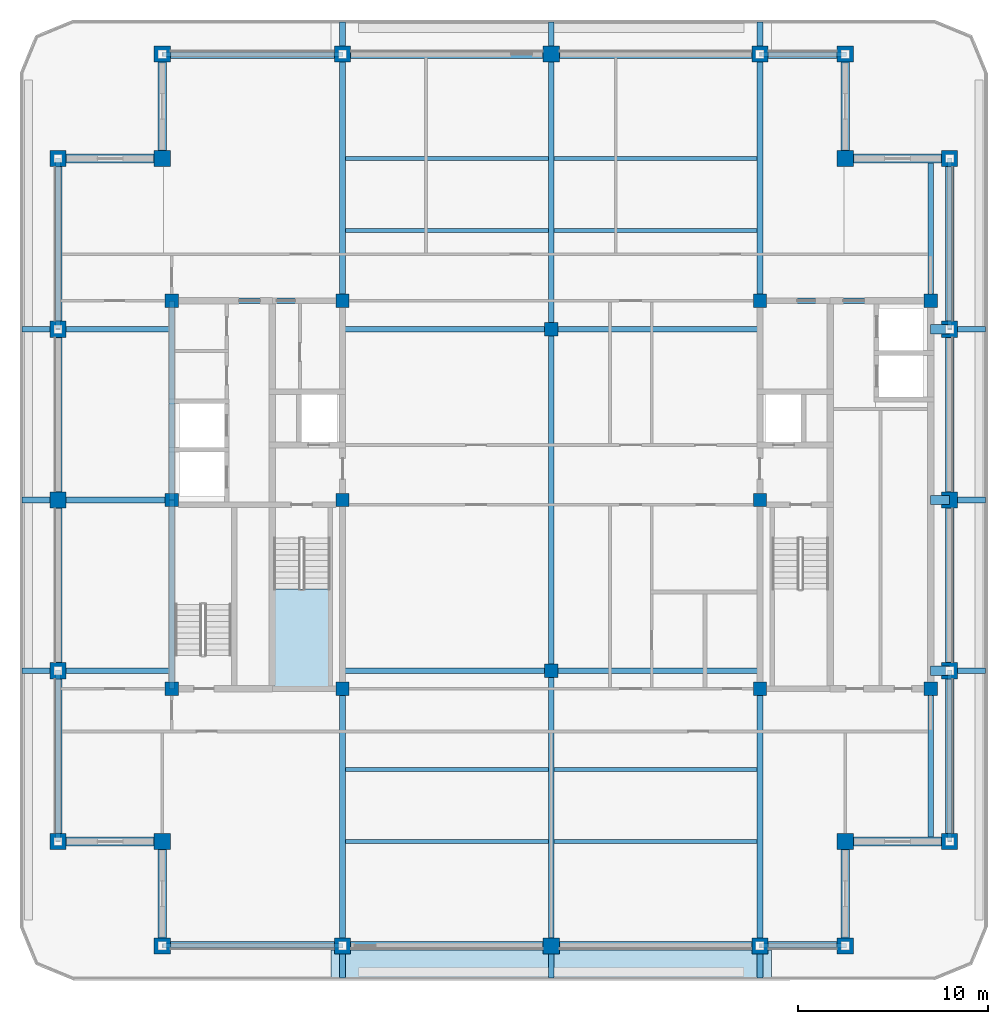
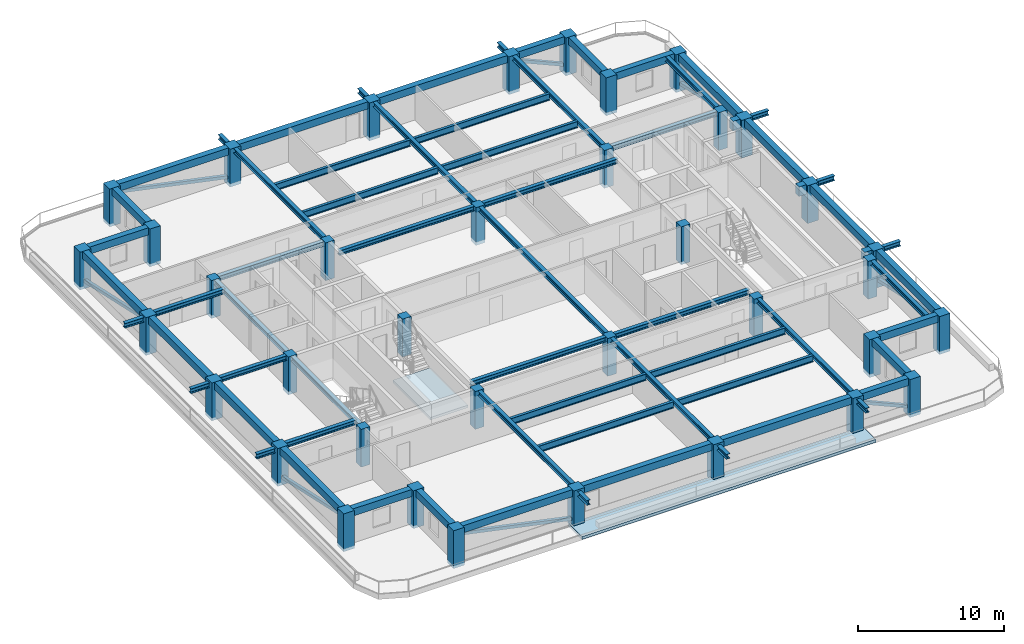
# One storey, part 1 of 10: 67 beams, 37 columns, 8 members, 2 slabs, 1 element without a shape of its own.
"""IFC4 building model written with IfcOpenShell, lengths in metres."""

from ifc_helpers import new_model, si_unit, direction, frame, origin, origin_2d, place, context, subcontext, project, spatial, polyline, rectangle, hollow_rectangle, i_section, outline, extrude, material, layer, layer_set, material_profile, profile_set, type_object, element, aggregate, save


model = new_model("IFC4")

# Units and contexts
model_context = context("Model", 3, precision=1e-05, world=origin(), true_north=direction((0.0, 1.0)))
body_context = subcontext(model_context, "Body", "Model", "MODEL_VIEW")
ifc_project = project(units=[si_unit("LENGTHUNIT", "METRE"), si_unit("AREAUNIT", "SQUARE_METRE"), si_unit("VOLUMEUNIT", "CUBIC_METRE"), si_unit("PLANEANGLEUNIT", "RADIAN"), si_unit("MASSUNIT", "GRAM", prefix="KILO")], contexts=[model_context])

# Site, building, storey
site_placement = place(None, origin())
site = spatial("IfcSite", under=ifc_project, at=site_placement, CompositionType="ELEMENT")
building_placement = place(site_placement, origin())
building = spatial("IfcBuilding", under=site, at=building_placement, Name="Zulmaris Gate Convention Tower", CompositionType="ELEMENT")
storey_placement = place(building_placement, frame((0.0, 0.0, 267.35009765625)))
storey = spatial("IfcBuildingStorey", under=building, at=storey_placement, Name="L71", CompositionType="ELEMENT", Elevation=267.35009765625)

# Columns
ifc_material_1 = material(Name="Concrete C50/60", Category="concrete")
ifc_material_profile_1 = material_profile(ifc_material_1, rectangle(XDim=0.699951171875, YDim=0.699951171875, at=origin_2d()), Name="RC COL 700x700")
ifc_profile_set_1 = profile_set([ifc_material_profile_1], Name="Concrete C50/60")
column_type_1 = type_object("IfcColumnType", Name="COL-RC700", PredefinedType="COLUMN", material=ifc_profile_set_1)
for number, where, z_axis, x_axis, name in (
    (1, (-20.0, -9.949951171875, -0.25), (0.0, 0.0, 1.0), (1.0, 0.0, 0.0), "L71 Column IN--20.00_-9.95"),
    (2, (-20.0, 10.5, -0.25), (0.0, 0.0, 1.0), (1.0, 0.0, 0.0), "L71 Column IN--20.00_+10.50"),
    (3, (-11.0, -9.949951171875, -0.25), (0.0, 0.0, 1.0), (1.0, 0.0, 0.0), "L71 Column IN--11.00_-9.95"),
    (4, (-11.0, 0.0, -0.25), (0.0, 0.0, 1.0), (1.0, 0.0, 0.0), "L71 Column IN--11.00_+0.00"),
    (5, (-11.0, 10.5, -0.25), (0.0, 0.0, 1.0), (1.0, 0.0, 0.0), "L71 Column IN--11.00_+10.50"),
    (6, (11.0, -9.949951171875, -0.25), (0.0, 0.0, 1.0), (1.0, 0.0, 0.0), "L71 Column IN-+11.00_-9.95"),
    (7, (11.0, 0.0, -0.25), (0.0, 0.0, 1.0), (1.0, 0.0, 0.0), "L71 Column IN-+11.00_+0.00"),
    (8, (11.0, 10.5, -0.25), (0.0, 0.0, 1.0), (1.0, 0.0, 0.0), "L71 Column IN-+11.00_+10.50"),
    (9, (20.0, -9.949951171875, -0.25), (0.0, 0.0, 1.0), (1.0, 0.0, 0.0), "L71 Column IN-+20.00_-9.95"),
    (10, (20.0, 10.5, -0.25), (0.0, 0.0, 1.0), (1.0, 0.0, 0.0), "L71 Column IN-+20.00_+10.50"),
    (11, (0.0, -9.0, -0.25), (0.0, 0.0, 1.0), (1.0, 0.0, 0.0), "L71 Column IN-+0.00_-9.00"),
    (12, (0.0, 9.0, -0.25), (0.0, 0.0, 1.0), (1.0, 0.0, 0.0), "L71 Column IN-+0.00_+9.00"),
    (13, (-20.0, 0.0, -0.25), (0.0, 0.0, 1.0), (1.0, 0.0, 0.0), "L71 Column IN--20.00_+0.00"),
):
    element("IfcColumn", number, at=place(storey_placement, frame(where, z_axis=z_axis, x_axis=x_axis)), inside=storey, type_object=column_type_1, Name=name, PredefinedType="COLUMN", context=body_context, shape_type="SweptSolid", body=[
        extrude(rectangle(XDim=0.699951171875, YDim=0.699951171875, at=origin_2d()), origin(), (0.0, 0.0, 1.0), 3.155029296875),
    ])
ifc_material_2 = material(Name="Concrete C60/75", Category="concrete")
ifc_material_profile_2 = material_profile(ifc_material_2, rectangle(XDim=0.85009765625, YDim=0.85009765625, at=origin_2d()), Name="RC COL 850x850")
ifc_profile_set_2 = profile_set([ifc_material_profile_2], Name="Concrete C60/75")
column_type_2 = type_object("IfcColumnType", Name="COL-RC850", PredefinedType="COLUMN", material=ifc_profile_set_2)
for number, where, z_axis, x_axis, name in (
    (14, (-20.5, -23.5, -0.25), (0.0, 0.0, 1.0), (1.0, 0.0, 0.0), "L71 Column PT--20.50_-23.50"),
    (15, (-11.0, -23.5, -0.25), (0.0, 0.0, 1.0), (1.0, 0.0, 0.0), "L71 Column PT--11.00_-23.50"),
    (16, (0.0, -23.5, -0.25), (0.0, 0.0, 1.0), (1.0, 0.0, 0.0), "L71 Column PT-+0.00_-23.50"),
    (17, (11.0, -23.5, -0.25), (0.0, 0.0, 1.0), (1.0, 0.0, 0.0), "L71 Column PT-+11.00_-23.50"),
    (18, (15.5, -23.5, -0.25), (0.0, 0.0, 1.0), (1.0, 0.0, 0.0), "L71 Column PT-+15.50_-23.50"),
    (19, (-20.5, 23.5, -0.25), (0.0, 0.0, 1.0), (1.0, 0.0, 0.0), "L71 Column PT--20.50_+23.50"),
    (20, (-11.0, 23.5, -0.25), (0.0, 0.0, 1.0), (1.0, 0.0, 0.0), "L71 Column PT--11.00_+23.50"),
    (21, (0.0, 23.5, -0.25), (0.0, 0.0, 1.0), (1.0, 0.0, 0.0), "L71 Column PT-+0.00_+23.50"),
    (22, (11.0, 23.5, -0.25), (0.0, 0.0, 1.0), (1.0, 0.0, 0.0), "L71 Column PT-+11.00_+23.50"),
    (23, (15.5, 23.5, -0.25), (0.0, 0.0, 1.0), (1.0, 0.0, 0.0), "L71 Column PT-+15.50_+23.50"),
    (24, (-26.0, -18.0, -0.25), (0.0, 0.0, 1.0), (1.0, 0.0, 0.0), "L71 Column PT--26.00_-18.00"),
    (25, (-26.0, -9.0, -0.25), (0.0, 0.0, 1.0), (1.0, 0.0, 0.0), "L71 Column PT--26.00_-9.00"),
    (26, (-26.0, 0.0, -0.25), (0.0, 0.0, 1.0), (1.0, 0.0, 0.0), "L71 Column PT--26.00_+0.00"),
    (27, (-26.0, 9.0, -0.25), (0.0, 0.0, 1.0), (1.0, 0.0, 0.0), "L71 Column PT--26.00_+9.00"),
    (28, (-26.0, 18.0, -0.25), (0.0, 0.0, 1.0), (1.0, 0.0, 0.0), "L71 Column PT--26.00_+18.00"),
    (29, (21.0, -18.0, -0.25), (0.0, 0.0, 1.0), (1.0, 0.0, 0.0), "L71 Column PT-+21.00_-18.00"),
    (30, (21.0, -9.0, -0.25), (0.0, 0.0, 1.0), (1.0, 0.0, 0.0), "L71 Column PT-+21.00_-9.00"),
    (31, (21.0, 0.0, -0.25), (0.0, 0.0, 1.0), (1.0, 0.0, 0.0), "L71 Column PT-+21.00_+0.00"),
    (32, (21.0, 9.0, -0.25), (0.0, 0.0, 1.0), (1.0, 0.0, 0.0), "L71 Column PT-+21.00_+9.00"),
    (33, (21.0, 18.0, -0.25), (0.0, 0.0, 1.0), (1.0, 0.0, 0.0), "L71 Column PT-+21.00_+18.00"),
    (34, (-20.5, -18.0, -0.25), (0.0, 0.0, 1.0), (1.0, 0.0, 0.0), "L71 Column PT--20.50_-18.00"),
    (35, (15.5, -18.0, -0.25), (0.0, 0.0, 1.0), (1.0, 0.0, 0.0), "L71 Column PT-+15.50_-18.00"),
    (36, (15.5, 18.0, -0.25), (0.0, 0.0, 1.0), (1.0, 0.0, 0.0), "L71 Column PT-+15.50_+18.00"),
    (37, (-20.5, 18.0, -0.25), (0.0, 0.0, 1.0), (1.0, 0.0, 0.0), "L71 Column PT--20.50_+18.00"),
):
    element("IfcColumn", number, at=place(storey_placement, frame(where, z_axis=z_axis, x_axis=x_axis)), inside=storey, type_object=column_type_2, Name=name, PredefinedType="COLUMN", context=body_context, shape_type="SweptSolid", body=[
        extrude(rectangle(XDim=0.85009765625, YDim=0.85009765625, at=origin_2d()), origin(), (0.0, 0.0, 1.0), 3.155029296875),
    ])

# Beams
ifc_material_3 = material(Name="Steel S355", Category="steel")
ifc_material_profile_3 = material_profile(ifc_material_3, i_section(OverallWidth=0.300048828125, OverallDepth=0.39990234375, WebThickness=0.013427734375, FlangeThickness=0.02392578125, FilletRadius=0.027099609375, at=origin_2d()), Name="HEB 400")
ifc_profile_set_3 = profile_set([ifc_material_profile_3], Name="Steel S355")
beam_type_1 = type_object("IfcBeamType", Name="BM-HEB400", PredefinedType="BEAM", material=ifc_profile_set_3)
for number, where, z_axis, x_axis, name in (
    (38, (-11.0, -25.199951171875, 2.56494140625), (0.0, 1.0, 0.0), (-1.0, 0.0, 0.0), "L71 Beam TBRK-L71-S--11"),
    (39, (-11.0, 23.5, 2.56494140625), (0.0, 1.0, 0.0), (-1.0, 0.0, 0.0), "L71 Beam TBRK-L71-N--11"),
    (40, (0.0, -25.199951171875, 2.56494140625), (0.0, 1.0, 0.0), (-1.0, 0.0, 0.0), "L71 Beam TBRK-L71-S-+0"),
    (41, (0.0, 23.5, 2.56494140625), (0.0, 1.0, 0.0), (-1.0, 0.0, 0.0), "L71 Beam TBRK-L71-N-+0"),
    (42, (11.0, -25.199951171875, 2.56494140625), (0.0, 1.0, 0.0), (-1.0, 0.0, 0.0), "L71 Beam TBRK-L71-S-+11"),
    (43, (11.0, 23.5, 2.56494140625), (0.0, 1.0, 0.0), (-1.0, 0.0, 0.0), "L71 Beam TBRK-L71-N-+11"),
):
    element("IfcBeam", number, at=place(storey_placement, frame(where, z_axis=z_axis, x_axis=x_axis)), inside=storey, type_object=beam_type_1, Name=name, PredefinedType="BEAM", context=body_context, shape_type="SweptSolid", body=[
        extrude(i_section(OverallWidth=0.300048828125, OverallDepth=0.39990234375, WebThickness=0.013427734375, FlangeThickness=0.02392578125, FilletRadius=0.027099609375, at=origin_2d()), origin(), (0.0, 0.0, 1.0), 1.699951171875),
    ])
for number, where, z_axis, x_axis, name in (
    (44, (-27.89990234375, -9.0, 2.56494140625), (1.0, 0.0, 0.0), (0.0, 1.0, 0.0), "L71 Beam TBRK-L71-W--9"),
    (45, (21.0, -9.0, 2.56494140625), (1.0, 0.0, 0.0), (0.0, 1.0, 0.0), "L71 Beam TBRK-L71-E--9"),
    (46, (-27.89990234375, 0.0, 2.56494140625), (1.0, 0.0, 0.0), (0.0, 1.0, 0.0), "L71 Beam TBRK-L71-W-+0"),
    (47, (21.0, 0.0, 2.56494140625), (1.0, 0.0, 0.0), (0.0, 1.0, 0.0), "L71 Beam TBRK-L71-E-+0"),
    (48, (-27.89990234375, 9.0, 2.56494140625), (1.0, 0.0, 0.0), (0.0, 1.0, 0.0), "L71 Beam TBRK-L71-W-+9"),
    (49, (21.0, 9.0, 2.56494140625), (1.0, 0.0, 0.0), (0.0, 1.0, 0.0), "L71 Beam TBRK-L71-E-+9"),
):
    element("IfcBeam", number, at=place(storey_placement, frame(where, z_axis=z_axis, x_axis=x_axis)), inside=storey, type_object=beam_type_1, Name=name, PredefinedType="BEAM", context=body_context, shape_type="SweptSolid", body=[
        extrude(i_section(OverallWidth=0.300048828125, OverallDepth=0.39990234375, WebThickness=0.013427734375, FlangeThickness=0.02392578125, FilletRadius=0.027099609375, at=origin_2d()), origin(), (0.0, 0.0, 1.0), 1.89990234375),
    ])
for number, where, z_axis, x_axis, name in (
    (50, (-11.0, -9.0, 2.702880859375), (1.0, 0.0, 0.0), (0.0, 1.0, 0.0), "L71 Beam BM-L71-G01"),
    (51, (0.0, -9.0, 2.702880859375), (1.0, 0.0, 0.0), (0.0, 1.0, 0.0), "L71 Beam BM-L71-G02"),
    (52, (-11.0, 9.0, 2.702880859375), (1.0, 0.0, 0.0), (0.0, 1.0, 0.0), "L71 Beam BM-L71-G03"),
    (53, (0.0, 9.0, 2.702880859375), (1.0, 0.0, 0.0), (0.0, 1.0, 0.0), "L71 Beam BM-L71-G04"),
):
    element("IfcBeam", number, at=place(storey_placement, frame(where, z_axis=z_axis, x_axis=x_axis)), inside=storey, type_object=beam_type_1, Name=name, PredefinedType="BEAM", context=body_context, shape_type="SweptSolid", body=[
        extrude(i_section(OverallWidth=0.300048828125, OverallDepth=0.39990234375, WebThickness=0.013427734375, FlangeThickness=0.02392578125, FilletRadius=0.027099609375, at=origin_2d()), origin(), (0.0, 0.0, 1.0), 11.0),
    ])
beam_1_placement = place(storey_placement, frame((0.0, -23.5, 2.702880859375), z_axis=(0.0, 1.0, 0.0), x_axis=(-1.0, 0.0, 0.0)))
element("IfcBeam", 54, at=beam_1_placement, inside=storey, type_object=beam_type_1, Name="L71 Beam BM-L71-G05", PredefinedType="BEAM", context=body_context, shape_type="SweptSolid", body=[
    extrude(i_section(OverallWidth=0.300048828125, OverallDepth=0.39990234375, WebThickness=0.013427734375, FlangeThickness=0.02392578125, FilletRadius=0.027099609375, at=origin_2d()), origin(), (0.0, 0.0, 1.0), 14.5),
])
beam_2_placement = place(storey_placement, frame((0.0, -9.0, 2.702880859375), z_axis=(0.0, 1.0, 0.0), x_axis=(-1.0, 0.0, 0.0)))
element("IfcBeam", 55, at=beam_2_placement, inside=storey, type_object=beam_type_1, Name="L71 Beam BM-L71-G06", PredefinedType="BEAM", context=body_context, shape_type="SweptSolid", body=[
    extrude(i_section(OverallWidth=0.300048828125, OverallDepth=0.39990234375, WebThickness=0.013427734375, FlangeThickness=0.02392578125, FilletRadius=0.027099609375, at=origin_2d()), origin(), (0.0, 0.0, 1.0), 18.0),
])
beam_3_placement = place(storey_placement, frame((0.0, 9.0, 2.702880859375), z_axis=(0.0, 1.0, 0.0), x_axis=(-1.0, 0.0, 0.0)))
element("IfcBeam", 56, at=beam_3_placement, inside=storey, type_object=beam_type_1, Name="L71 Beam BM-L71-G07", PredefinedType="BEAM", context=body_context, shape_type="SweptSolid", body=[
    extrude(i_section(OverallWidth=0.300048828125, OverallDepth=0.39990234375, WebThickness=0.013427734375, FlangeThickness=0.02392578125, FilletRadius=0.027099609375, at=origin_2d()), origin(), (0.0, 0.0, 1.0), 14.5),
])
beam_4_placement = place(storey_placement, frame((-11.0, -23.5, 2.702880859375), z_axis=(0.0, 1.0, 0.0), x_axis=(-1.0, 0.0, 0.0)))
element("IfcBeam", 57, at=beam_4_placement, inside=storey, type_object=beam_type_1, Name="L71 Beam BM-L71-G08", PredefinedType="BEAM", context=body_context, shape_type="SweptSolid", body=[
    extrude(i_section(OverallWidth=0.300048828125, OverallDepth=0.39990234375, WebThickness=0.013427734375, FlangeThickness=0.02392578125, FilletRadius=0.027099609375, at=origin_2d()), origin(), (0.0, 0.0, 1.0), 13.550048828125),
])
beam_5_placement = place(storey_placement, frame((-11.0, 10.5, 2.702880859375), z_axis=(0.0, 1.0, 0.0), x_axis=(-1.0, 0.0, 0.0)))
element("IfcBeam", 58, at=beam_5_placement, inside=storey, type_object=beam_type_1, Name="L71 Beam BM-L71-G09", PredefinedType="BEAM", context=body_context, shape_type="SweptSolid", body=[
    extrude(i_section(OverallWidth=0.300048828125, OverallDepth=0.39990234375, WebThickness=0.013427734375, FlangeThickness=0.02392578125, FilletRadius=0.027099609375, at=origin_2d()), origin(), (0.0, 0.0, 1.0), 13.0),
])
beam_6_placement = place(storey_placement, frame((11.0, -23.5, 2.702880859375), z_axis=(0.0, 1.0, 0.0), x_axis=(-1.0, 0.0, 0.0)))
element("IfcBeam", 59, at=beam_6_placement, inside=storey, type_object=beam_type_1, Name="L71 Beam BM-L71-G10", PredefinedType="BEAM", context=body_context, shape_type="SweptSolid", body=[
    extrude(i_section(OverallWidth=0.300048828125, OverallDepth=0.39990234375, WebThickness=0.013427734375, FlangeThickness=0.02392578125, FilletRadius=0.027099609375, at=origin_2d()), origin(), (0.0, 0.0, 1.0), 13.550048828125),
])
beam_7_placement = place(storey_placement, frame((11.0, 10.5, 2.702880859375), z_axis=(0.0, 1.0, 0.0), x_axis=(-1.0, 0.0, 0.0)))
element("IfcBeam", 60, at=beam_7_placement, inside=storey, type_object=beam_type_1, Name="L71 Beam BM-L71-G11", PredefinedType="BEAM", context=body_context, shape_type="SweptSolid", body=[
    extrude(i_section(OverallWidth=0.300048828125, OverallDepth=0.39990234375, WebThickness=0.013427734375, FlangeThickness=0.02392578125, FilletRadius=0.027099609375, at=origin_2d()), origin(), (0.0, 0.0, 1.0), 13.0),
])
beam_8_placement = place(storey_placement, frame((20.0, -18.0, 2.702880859375), z_axis=(0.0, 1.0, 0.0), x_axis=(-1.0, 0.0, 0.0)))
element("IfcBeam", 61, at=beam_8_placement, inside=storey, type_object=beam_type_1, Name="L71 Beam BM-L71-G14", PredefinedType="BEAM", context=body_context, shape_type="SweptSolid", body=[
    extrude(i_section(OverallWidth=0.300048828125, OverallDepth=0.39990234375, WebThickness=0.013427734375, FlangeThickness=0.02392578125, FilletRadius=0.027099609375, at=origin_2d()), origin(), (0.0, 0.0, 1.0), 8.050048828125),
])
beam_9_placement = place(storey_placement, frame((20.0, 10.5, 2.702880859375), z_axis=(0.0, 1.0, 0.0), x_axis=(-1.0, 0.0, 0.0)))
element("IfcBeam", 62, at=beam_9_placement, inside=storey, type_object=beam_type_1, Name="L71 Beam BM-L71-G15", PredefinedType="BEAM", context=body_context, shape_type="SweptSolid", body=[
    extrude(i_section(OverallWidth=0.300048828125, OverallDepth=0.39990234375, WebThickness=0.013427734375, FlangeThickness=0.02392578125, FilletRadius=0.027099609375, at=origin_2d()), origin(), (0.0, 0.0, 1.0), 7.5),
])
for number, where, z_axis, x_axis, name in (
    (63, (-26.0, -9.0, 2.702880859375), (1.0, 0.0, 0.0), (0.0, 1.0, 0.0), "L71 Beam BM-L71-G16"),
    (64, (-26.0, 0.0, 2.702880859375), (1.0, 0.0, 0.0), (0.0, 1.0, 0.0), "L71 Beam BM-L71-G17"),
    (65, (-26.0, 9.0, 2.702880859375), (1.0, 0.0, 0.0), (0.0, 1.0, 0.0), "L71 Beam BM-L71-G18"),
):
    element("IfcBeam", number, at=place(storey_placement, frame(where, z_axis=z_axis, x_axis=x_axis)), inside=storey, type_object=beam_type_1, Name=name, PredefinedType="BEAM", context=body_context, shape_type="SweptSolid", body=[
        extrude(i_section(OverallWidth=0.300048828125, OverallDepth=0.39990234375, WebThickness=0.013427734375, FlangeThickness=0.02392578125, FilletRadius=0.027099609375, at=origin_2d()), origin(), (0.0, 0.0, 1.0), 6.0),
    ])
for number, where, z_axis, x_axis, name in (
    (66, (-20.0, 10.5, 2.702880859375), (1.0, 0.0, 0.0), (0.0, 1.0, 0.0), "L71 Beam BM-L71-G23"),
    (67, (11.0, 10.5, 2.702880859375), (1.0, 0.0, 0.0), (0.0, 1.0, 0.0), "L71 Beam BM-L71-G25"),
):
    element("IfcBeam", number, at=place(storey_placement, frame(where, z_axis=z_axis, x_axis=x_axis)), inside=storey, type_object=beam_type_1, Name=name, PredefinedType="BEAM", context=body_context, shape_type="SweptSolid", body=[
        extrude(i_section(OverallWidth=0.300048828125, OverallDepth=0.39990234375, WebThickness=0.013427734375, FlangeThickness=0.02392578125, FilletRadius=0.027099609375, at=origin_2d()), origin(), (0.0, 0.0, 1.0), 9.0),
    ])
beam_10_placement = place(storey_placement, frame((-20.0, -9.949951171875, 2.702880859375), z_axis=(0.0, 1.0, 0.0), x_axis=(-1.0, 0.0, 0.0)))
element("IfcBeam", 68, at=beam_10_placement, inside=storey, type_object=beam_type_1, Name="L71 Beam BM-L71-G26", PredefinedType="BEAM", context=body_context, shape_type="SweptSolid", body=[
    extrude(i_section(OverallWidth=0.300048828125, OverallDepth=0.39990234375, WebThickness=0.013427734375, FlangeThickness=0.02392578125, FilletRadius=0.027099609375, at=origin_2d()), origin(), (0.0, 0.0, 1.0), 9.949951171875),
])
beam_11_placement = place(storey_placement, frame((-20.0, 0.0, 2.702880859375), z_axis=(0.0, 1.0, 0.0), x_axis=(-1.0, 0.0, 0.0)))
element("IfcBeam", 69, at=beam_11_placement, inside=storey, type_object=beam_type_1, Name="L71 Beam BM-L71-G27", PredefinedType="BEAM", context=body_context, shape_type="SweptSolid", body=[
    extrude(i_section(OverallWidth=0.300048828125, OverallDepth=0.39990234375, WebThickness=0.013427734375, FlangeThickness=0.02392578125, FilletRadius=0.027099609375, at=origin_2d()), origin(), (0.0, 0.0, 1.0), 10.5),
])
ifc_material_profile_4 = material_profile(ifc_material_1, rectangle(XDim=0.5, YDim=0.800048828125, at=origin_2d()), Name="RC BEAM 500x800")
ifc_profile_set_4 = profile_set([ifc_material_profile_4], Name="Concrete C50/60")
beam_type_2 = type_object("IfcBeamType", Name="BM-RC500x800", PredefinedType="BEAM", material=ifc_profile_set_4)
for number, where, z_axis, x_axis, name in (
    (70, (20.0, -9.0, 2.5048828125), (1.0, 0.0, 0.0), (0.0, 1.0, 0.0), "L71 Beam BM-L71-G19"),
    (71, (20.0, 0.0, 2.5048828125), (1.0, 0.0, 0.0), (0.0, 1.0, 0.0), "L71 Beam BM-L71-G20"),
    (72, (20.0, 9.0, 2.5048828125), (1.0, 0.0, 0.0), (0.0, 1.0, 0.0), "L71 Beam BM-L71-G21"),
):
    element("IfcBeam", number, at=place(storey_placement, frame(where, z_axis=z_axis, x_axis=x_axis)), inside=storey, type_object=beam_type_2, Name=name, PredefinedType="BEAM", context=body_context, shape_type="SweptSolid", body=[
        extrude(rectangle(XDim=0.5, YDim=0.800048828125, at=origin_2d()), origin(), (0.0, 0.0, 1.0), 1.0),
    ])
ifc_material_4 = material(Name="Precast concrete C50/60", Category="concrete")
ifc_material_profile_5 = material_profile(ifc_material_4, rectangle(XDim=0.449951171875, YDim=0.60009765625, at=origin_2d()), Name="RC SPANDREL 450x600")
ifc_profile_set_5 = profile_set([ifc_material_profile_5], Name="Precast concrete C50/60")
beam_type_3 = type_object("IfcBeamType", Name="BM-SP450x600", PredefinedType="SPANDREL", material=ifc_profile_set_5)
beam_12_placement = place(storey_placement, frame((-20.5, -23.5, 2.60498046875), z_axis=(1.0, 0.0, 0.0), x_axis=(0.0, 1.0, 0.0)))
element("IfcBeam", 73, at=beam_12_placement, inside=storey, type_object=beam_type_3, Name="L71 Spandrel SP-L71-01", PredefinedType="SPANDREL", context=body_context, shape_type="SweptSolid", body=[
    extrude(rectangle(XDim=0.449951171875, YDim=0.60009765625, at=origin_2d()), origin(), (0.0, 0.0, 1.0), 9.5),
])
for number, where, z_axis, x_axis, name in (
    (74, (-11.0, -23.5, 2.60498046875), (1.0, 0.0, 0.0), (0.0, 1.0, 0.0), "L71 Spandrel SP-L71-02"),
    (75, (0.0, -23.5, 2.60498046875), (1.0, 0.0, 0.0), (0.0, 1.0, 0.0), "L71 Spandrel SP-L71-03"),
):
    element("IfcBeam", number, at=place(storey_placement, frame(where, z_axis=z_axis, x_axis=x_axis)), inside=storey, type_object=beam_type_3, Name=name, PredefinedType="SPANDREL", context=body_context, shape_type="SweptSolid", body=[
        extrude(rectangle(XDim=0.449951171875, YDim=0.60009765625, at=origin_2d()), origin(), (0.0, 0.0, 1.0), 11.0),
    ])
beam_13_placement = place(storey_placement, frame((11.0, -23.5, 2.60498046875), z_axis=(1.0, 0.0, 0.0), x_axis=(0.0, 1.0, 0.0)))
element("IfcBeam", 76, at=beam_13_placement, inside=storey, type_object=beam_type_3, Name="L71 Spandrel SP-L71-04", PredefinedType="SPANDREL", context=body_context, shape_type="SweptSolid", body=[
    extrude(rectangle(XDim=0.449951171875, YDim=0.60009765625, at=origin_2d()), origin(), (0.0, 0.0, 1.0), 4.5),
])
for number, where, z_axis, x_axis, name in (
    (77, (15.5, -23.5, 2.60498046875), (0.0, 1.0, 0.0), (-1.0, 0.0, 0.0), "L71 Spandrel SP-L71-05"),
    (78, (15.5, -18.0, 2.60498046875), (1.0, 0.0, 0.0), (0.0, 1.0, 0.0), "L71 Spandrel SP-L71-06"),
):
    element("IfcBeam", number, at=place(storey_placement, frame(where, z_axis=z_axis, x_axis=x_axis)), inside=storey, type_object=beam_type_3, Name=name, PredefinedType="SPANDREL", context=body_context, shape_type="SweptSolid", body=[
        extrude(rectangle(XDim=0.449951171875, YDim=0.60009765625, at=origin_2d()), origin(), (0.0, 0.0, 1.0), 5.5),
    ])
for number, where, z_axis, x_axis, name in (
    (79, (21.0, -18.0, 2.60498046875), (0.0, 1.0, 0.0), (-1.0, 0.0, 0.0), "L71 Spandrel SP-L71-07"),
    (80, (21.0, -9.0, 2.60498046875), (0.0, 1.0, 0.0), (-1.0, 0.0, 0.0), "L71 Spandrel SP-L71-08"),
    (81, (21.0, 0.0, 2.60498046875), (0.0, 1.0, 0.0), (-1.0, 0.0, 0.0), "L71 Spandrel SP-L71-09"),
    (82, (21.0, 9.0, 2.60498046875), (0.0, 1.0, 0.0), (-1.0, 0.0, 0.0), "L71 Spandrel SP-L71-10"),
):
    element("IfcBeam", number, at=place(storey_placement, frame(where, z_axis=z_axis, x_axis=x_axis)), inside=storey, type_object=beam_type_3, Name=name, PredefinedType="SPANDREL", context=body_context, shape_type="SweptSolid", body=[
        extrude(rectangle(XDim=0.449951171875, YDim=0.60009765625, at=origin_2d()), origin(), (0.0, 0.0, 1.0), 9.0),
    ])
for number, where, z_axis, x_axis, name in (
    (83, (21.0, 18.0, 2.60498046875), (-1.0, 0.0, 0.0), (0.0, -1.0, 0.0), "L71 Spandrel SP-L71-11"),
    (84, (15.5, 18.0, 2.60498046875), (0.0, 1.0, 0.0), (-1.0, 0.0, 0.0), "L71 Spandrel SP-L71-12"),
):
    element("IfcBeam", number, at=place(storey_placement, frame(where, z_axis=z_axis, x_axis=x_axis)), inside=storey, type_object=beam_type_3, Name=name, PredefinedType="SPANDREL", context=body_context, shape_type="SweptSolid", body=[
        extrude(rectangle(XDim=0.449951171875, YDim=0.60009765625, at=origin_2d()), origin(), (0.0, 0.0, 1.0), 5.5),
    ])
beam_14_placement = place(storey_placement, frame((15.5, 23.5, 2.60498046875), z_axis=(-1.0, 0.0, 0.0), x_axis=(0.0, -1.0, 0.0)))
element("IfcBeam", 85, at=beam_14_placement, inside=storey, type_object=beam_type_3, Name="L71 Spandrel SP-L71-13", PredefinedType="SPANDREL", context=body_context, shape_type="SweptSolid", body=[
    extrude(rectangle(XDim=0.449951171875, YDim=0.60009765625, at=origin_2d()), origin(), (0.0, 0.0, 1.0), 4.5),
])
for number, where, z_axis, x_axis, name in (
    (86, (11.0, 23.5, 2.60498046875), (-1.0, 0.0, 0.0), (0.0, -1.0, 0.0), "L71 Spandrel SP-L71-14"),
    (87, (0.0, 23.5, 2.60498046875), (-1.0, 0.0, 0.0), (0.0, -1.0, 0.0), "L71 Spandrel SP-L71-15"),
):
    element("IfcBeam", number, at=place(storey_placement, frame(where, z_axis=z_axis, x_axis=x_axis)), inside=storey, type_object=beam_type_3, Name=name, PredefinedType="SPANDREL", context=body_context, shape_type="SweptSolid", body=[
        extrude(rectangle(XDim=0.449951171875, YDim=0.60009765625, at=origin_2d()), origin(), (0.0, 0.0, 1.0), 11.0),
    ])
beam_15_placement = place(storey_placement, frame((-11.0, 23.5, 2.60498046875), z_axis=(-1.0, 0.0, 0.0), x_axis=(0.0, -1.0, 0.0)))
element("IfcBeam", 88, at=beam_15_placement, inside=storey, type_object=beam_type_3, Name="L71 Spandrel SP-L71-16", PredefinedType="SPANDREL", context=body_context, shape_type="SweptSolid", body=[
    extrude(rectangle(XDim=0.449951171875, YDim=0.60009765625, at=origin_2d()), origin(), (0.0, 0.0, 1.0), 9.5),
])
for number, where, z_axis, x_axis, name in (
    (89, (-20.5, 23.5, 2.60498046875), (0.0, -1.0, 0.0), (1.0, 0.0, 0.0), "L71 Spandrel SP-L71-17"),
    (90, (-20.5, 18.0, 2.60498046875), (-1.0, 0.0, 0.0), (0.0, -1.0, 0.0), "L71 Spandrel SP-L71-18"),
):
    element("IfcBeam", number, at=place(storey_placement, frame(where, z_axis=z_axis, x_axis=x_axis)), inside=storey, type_object=beam_type_3, Name=name, PredefinedType="SPANDREL", context=body_context, shape_type="SweptSolid", body=[
        extrude(rectangle(XDim=0.449951171875, YDim=0.60009765625, at=origin_2d()), origin(), (0.0, 0.0, 1.0), 5.5),
    ])
for number, where, z_axis, x_axis, name in (
    (91, (-26.0, 18.0, 2.60498046875), (0.0, -1.0, 0.0), (1.0, 0.0, 0.0), "L71 Spandrel SP-L71-19"),
    (92, (-26.0, 9.0, 2.60498046875), (0.0, -1.0, 0.0), (1.0, 0.0, 0.0), "L71 Spandrel SP-L71-20"),
    (93, (-26.0, 0.0, 2.60498046875), (0.0, -1.0, 0.0), (1.0, 0.0, 0.0), "L71 Spandrel SP-L71-21"),
    (94, (-26.0, -9.0, 2.60498046875), (0.0, -1.0, 0.0), (1.0, 0.0, 0.0), "L71 Spandrel SP-L71-22"),
):
    element("IfcBeam", number, at=place(storey_placement, frame(where, z_axis=z_axis, x_axis=x_axis)), inside=storey, type_object=beam_type_3, Name=name, PredefinedType="SPANDREL", context=body_context, shape_type="SweptSolid", body=[
        extrude(rectangle(XDim=0.449951171875, YDim=0.60009765625, at=origin_2d()), origin(), (0.0, 0.0, 1.0), 9.0),
    ])
for number, where, z_axis, x_axis, name in (
    (95, (-26.0, -18.0, 2.60498046875), (1.0, 0.0, 0.0), (0.0, 1.0, 0.0), "L71 Spandrel SP-L71-23"),
    (96, (-20.5, -18.0, 2.60498046875), (0.0, -1.0, 0.0), (1.0, 0.0, 0.0), "L71 Spandrel SP-L71-24"),
):
    element("IfcBeam", number, at=place(storey_placement, frame(where, z_axis=z_axis, x_axis=x_axis)), inside=storey, type_object=beam_type_3, Name=name, PredefinedType="SPANDREL", context=body_context, shape_type="SweptSolid", body=[
        extrude(rectangle(XDim=0.449951171875, YDim=0.60009765625, at=origin_2d()), origin(), (0.0, 0.0, 1.0), 5.5),
    ])

# Members
ifc_material_profile_6 = material_profile(ifc_material_3, hollow_rectangle(XDim=0.25, YDim=0.25, WallThickness=0.012451171875, at=origin_2d()), Name="SHS 250x250x12.5")
ifc_profile_set_6 = profile_set([ifc_material_profile_6], Name="Steel S355")
member_type = type_object("IfcMemberType", Name="BR-SHS250", PredefinedType="BRACE", material=ifc_profile_set_6)
for number, where, z_axis, x_axis, name in (
    (97, (-26.0, -9.0, 0.300048828125), (0.0, -0.976533605877, 0.215365077468), (1.0, 0.0, 0.0), "L71 Perimeter Tube Diagonal SW-W"),
    (98, (-26.0, 18.0, 0.300048828125), (0.0, -0.976533605877, 0.215365077468), (1.0, 0.0, 0.0), "L71 Perimeter Tube Diagonal NW-W"),
    (99, (21.0, -9.0, 0.300048828125), (0.0, -0.976533605877, 0.215365077468), (1.0, 0.0, 0.0), "L71 Perimeter Tube Diagonal SE-E"),
    (100, (21.0, 18.0, 0.300048828125), (0.0, -0.976533605877, 0.215365077468), (1.0, 0.0, 0.0), "L71 Perimeter Tube Diagonal NE-E"),
):
    element("IfcMember", number, at=place(storey_placement, frame(where, z_axis=z_axis, x_axis=x_axis)), inside=storey, type_object=member_type, Name=name, PredefinedType="BRACE", context=body_context, shape_type="SweptSolid", body=[
        extrude(hollow_rectangle(XDim=0.25, YDim=0.25, WallThickness=0.012451171875, at=origin_2d()), origin(), (0.0, 0.0, 1.0), 9.21630859375),
    ])
member_1_placement = place(storey_placement, frame((-11.0, -23.5, 0.300048828125), z_axis=(-0.978863059637, 0.0, 0.204516773099), x_axis=(0.0, -1.0, 0.0)))
element("IfcMember", 101, at=member_1_placement, inside=storey, type_object=member_type, Name="L71 Perimeter Tube Diagonal SW-S", PredefinedType="BRACE", context=body_context, shape_type="SweptSolid", body=[
    extrude(hollow_rectangle(XDim=0.25, YDim=0.25, WallThickness=0.012451171875, at=origin_2d()), origin(), (0.0, 0.0, 1.0), 9.705078125),
])
member_2_placement = place(storey_placement, frame((15.5, -23.5, 0.300048828125), z_axis=(-0.914950148598, 0.0, 0.403566878695), x_axis=(0.0, -1.0, 0.0)))
element("IfcMember", 102, at=member_2_placement, inside=storey, type_object=member_type, Name="L71 Perimeter Tube Diagonal SE-S", PredefinedType="BRACE", context=body_context, shape_type="SweptSolid", body=[
    extrude(hollow_rectangle(XDim=0.25, YDim=0.25, WallThickness=0.012451171875, at=origin_2d()), origin(), (0.0, 0.0, 1.0), 4.918212890625),
])
member_3_placement = place(storey_placement, frame((-11.0, 23.5, 0.300048828125), z_axis=(-0.978863059637, 0.0, 0.204516773099), x_axis=(0.0, -1.0, 0.0)))
element("IfcMember", 103, at=member_3_placement, inside=storey, type_object=member_type, Name="L71 Perimeter Tube Diagonal NW-N", PredefinedType="BRACE", context=body_context, shape_type="SweptSolid", body=[
    extrude(hollow_rectangle(XDim=0.25, YDim=0.25, WallThickness=0.012451171875, at=origin_2d()), origin(), (0.0, 0.0, 1.0), 9.705078125),
])
member_4_placement = place(storey_placement, frame((15.5, 23.5, 0.300048828125), z_axis=(-0.914950148598, 0.0, 0.403566878695), x_axis=(0.0, -1.0, 0.0)))
element("IfcMember", 104, at=member_4_placement, inside=storey, type_object=member_type, Name="L71 Perimeter Tube Diagonal NE-N", PredefinedType="BRACE", context=body_context, shape_type="SweptSolid", body=[
    extrude(hollow_rectangle(XDim=0.25, YDim=0.25, WallThickness=0.012451171875, at=origin_2d()), origin(), (0.0, 0.0, 1.0), 4.918212890625),
])

# Beams
ifc_material_profile_7 = material_profile(ifc_material_3, i_section(OverallWidth=0.2099609375, OverallDepth=0.550048828125, WebThickness=0.010986328125, FlangeThickness=0.01708984375, FilletRadius=0.02392578125, at=origin_2d()), Name="IPE 550")
ifc_profile_set_7 = profile_set([ifc_material_profile_7], Name="Steel S355")
beam_type_4 = type_object("IfcBeamType", Name="JT-IPE550", PredefinedType="JOIST", material=ifc_profile_set_7)
for number, where, z_axis, x_axis, name in (
    (105, (-10.85009765625, -18.0, 2.6279296875), (1.0, 0.0, 0.0), (0.0, 1.0, 0.0), "L71 Joist JT-L71-CW--18.0"),
    (106, (0.14990234375, -18.0, 2.6279296875), (1.0, 0.0, 0.0), (0.0, 1.0, 0.0), "L71 Joist JT-L71-CE--18.0"),
    (107, (-10.85009765625, -14.199951171875, 2.6279296875), (1.0, 0.0, 0.0), (0.0, 1.0, 0.0), "L71 Joist JT-L71-CW--14.2"),
    (108, (0.14990234375, -14.199951171875, 2.6279296875), (1.0, 0.0, 0.0), (0.0, 1.0, 0.0), "L71 Joist JT-L71-CE--14.2"),
    (109, (-10.85009765625, 14.199951171875, 2.6279296875), (1.0, 0.0, 0.0), (0.0, 1.0, 0.0), "L71 Joist JT-L71-CW-+14.2"),
    (110, (0.14990234375, 14.199951171875, 2.6279296875), (1.0, 0.0, 0.0), (0.0, 1.0, 0.0), "L71 Joist JT-L71-CE-+14.2"),
    (111, (-10.85009765625, 18.0, 2.6279296875), (1.0, 0.0, 0.0), (0.0, 1.0, 0.0), "L71 Joist JT-L71-CW-+18.0"),
    (112, (0.14990234375, 18.0, 2.6279296875), (1.0, 0.0, 0.0), (0.0, 1.0, 0.0), "L71 Joist JT-L71-CE-+18.0"),
):
    element("IfcBeam", number, at=place(storey_placement, frame(where, z_axis=z_axis, x_axis=x_axis)), inside=storey, type_object=beam_type_4, Name=name, PredefinedType="JOIST", context=body_context, shape_type="SweptSolid", body=[
        extrude(i_section(OverallWidth=0.2099609375, OverallDepth=0.550048828125, WebThickness=0.010986328125, FlangeThickness=0.01708984375, FilletRadius=0.02392578125, at=origin_2d()), origin(), (0.0, 0.0, 1.0), 10.7001953125),
    ])

# Slab
ifc_layer_1 = layer(ifc_material_4, 0.239990234375, Name="Precast concrete C50/60")
ifc_layer_set_1 = layer_set([ifc_layer_1], Name="Precast concrete C50/60")
slab_type_1 = type_object("IfcSlabType", Name="SL-BAL-240", PredefinedType="FLOOR", material=ifc_layer_set_1)
slab_1_placement = place(storey_placement, frame((0.0, 0.0, -0.25)))
element("IfcSlab", 113, at=slab_1_placement, inside=storey, type_object=slab_type_1, Name="L71 South Tree-Balcony Planter Slab", PredefinedType="FLOOR", context=body_context, shape_type="SweptSolid", body=[
    extrude(outline(polyline([(-11.597900390625, -25.300048828125), (-11.597900390625, -23.5), (11.597900390625, -23.5), (11.597900390625, -25.300048828125), (-11.597900390625, -25.300048828125)])), origin(), (0.0, 0.0, 1.0), 0.239990234375),
])

# Stair, slab
ifc_material_5 = material(Name="Concrete C45/55", Category="concrete")
stair_type = type_object("IfcStairType", Name="ST-CORE-DOGLEG", PredefinedType="HALF_TURN_STAIR", material=ifc_material_5)
stair_placement = place(storey_placement, origin())
stair = element("IfcStair", 114, at=stair_placement, inside=storey, type_object=stair_type, Name="L71 Core Exit Stair ST-1", PredefinedType="HALF_TURN_STAIR")
ifc_layer_2 = layer(ifc_material_5, 0.199951171875, Name="Concrete C45/55")
ifc_layer_set_2 = layer_set([ifc_layer_2], Name="Concrete C45/55")
slab_type_2 = type_object("IfcSlabType", Name="SL-LND-200", PredefinedType="LANDING", material=ifc_layer_set_2)
slab_2_placement = place(storey_placement, frame((0.0, 0.0, 1.4150390625)))
slab_2 = element("IfcSlab", 115, at=slab_2_placement, type_object=slab_type_2, Name="ST-1 landing 1", PredefinedType="LANDING", context=body_context, shape_type="SweptSolid", body=[
    extrude(outline(polyline([(-14.6201171875, -4.699951171875), (-14.6201171875, -9.85009765625), (-11.659912109375, -9.85009765625), (-11.659912109375, -4.699951171875), (-14.6201171875, -4.699951171875)])), origin(), (0.0, 0.0, 1.0), 0.199951171875),
])
aggregate(stair, [slab_2])

save(model, "model.ifc")
